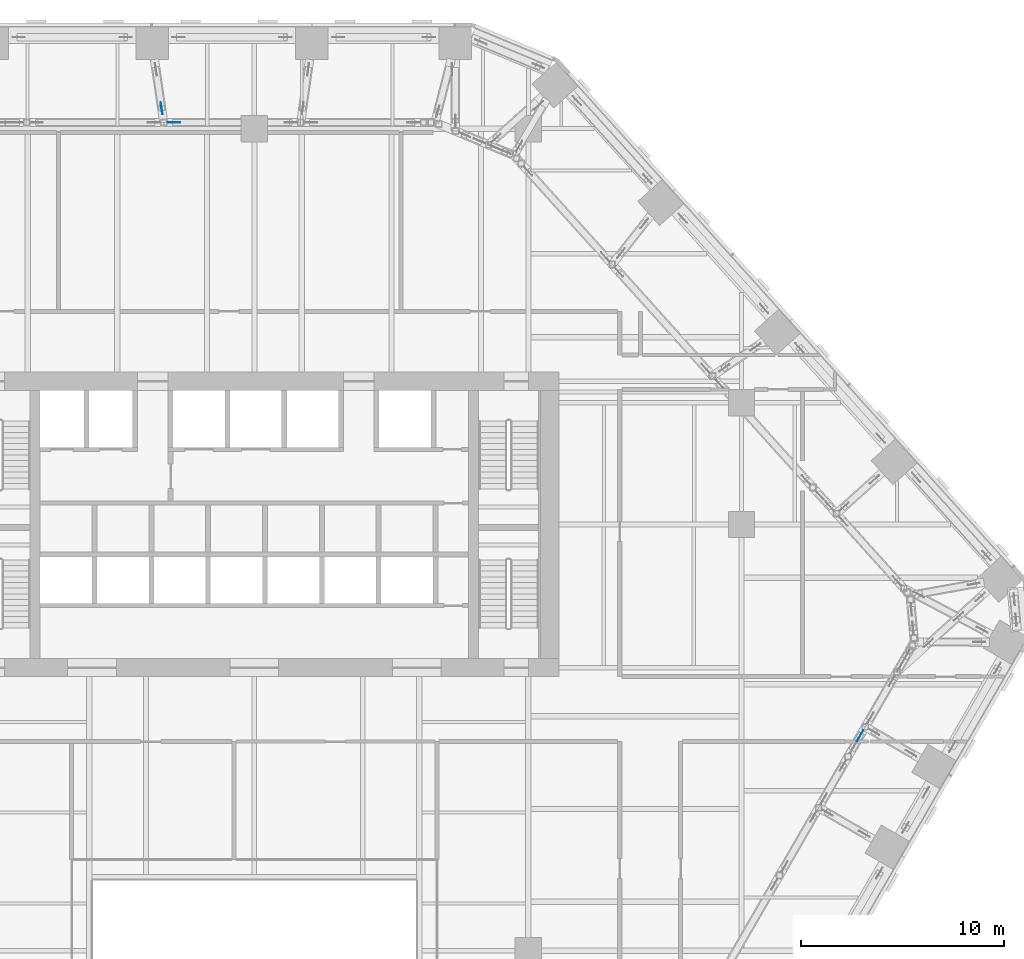
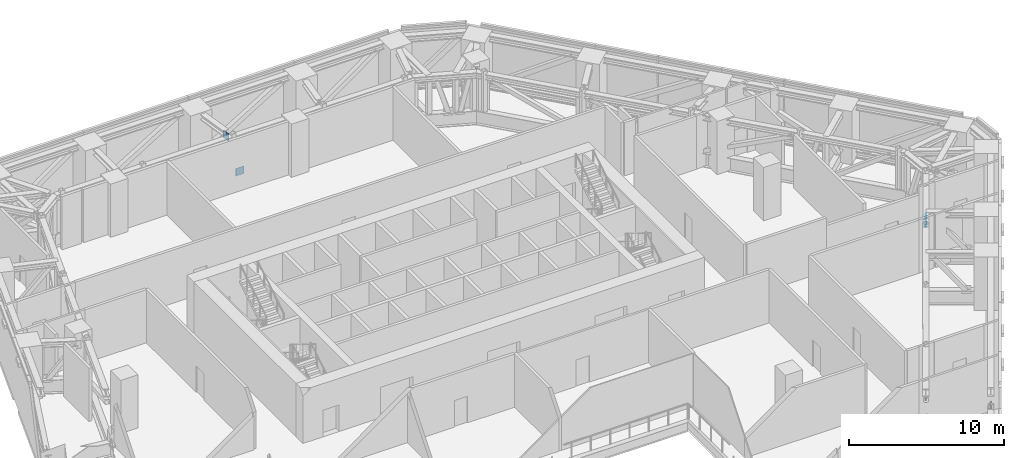
# One storey, part 31 of 36: 3 discrete accessories.
"""IFC4 building model written with IfcOpenShell, lengths in metres."""

from ifc_helpers import new_model, si_unit, direction, frame, origin, origin_2d, place, context, subcontext, project, spatial, rectangle, extrude, material, type_object, element, save


model = new_model("IFC4")

# Units and contexts
model_context = context("Model", 3, precision=1e-05, world=origin(), true_north=direction((0.0, 1.0)))
body_context = subcontext(model_context, "Body", "Model", "MODEL_VIEW")
ifc_project = project(units=[si_unit("LENGTHUNIT", "METRE"), si_unit("AREAUNIT", "SQUARE_METRE"), si_unit("VOLUMEUNIT", "CUBIC_METRE"), si_unit("PLANEANGLEUNIT", "RADIAN"), si_unit("MASSUNIT", "GRAM", prefix="KILO")], contexts=[model_context])

# Site, building, storey
site_placement = place(None, origin())
site = spatial("IfcSite", under=ifc_project, at=site_placement, CompositionType="ELEMENT")
building_placement = place(site_placement, origin())
building = spatial("IfcBuilding", under=site, at=building_placement, Name="Isthmus Gate Tower", CompositionType="ELEMENT")
storey_placement = place(building_placement, frame((0.0, 0.0, 117.14990234375)))
storey = spatial("IfcBuildingStorey", under=building, at=storey_placement, Name="L28", CompositionType="ELEMENT", Elevation=117.14990234375)

# Discrete accessories
ifc_material = material(Name="Structural steel ASTM A992 Gr 50", Category="steel")
discrete_accessory_type = type_object("IfcDiscreteAccessoryType", Name="GUSSET PLATE 600 X 20", PredefinedType="USERDEFINED", material=ifc_material)
for number, where, z_axis, x_axis, name in (
    (1, (-4.56494140625, 28.0, 3.374755859375), (0.0, 0.0, 1.0), (0.145979371577, -0.989287634146, 0.0), "GUSSET PLATE"),
    (2, (29.845703125, -2.90576171875, 3.374755859375), (0.0, 0.0, 1.0), (0.5, 0.866025403784, 0.0), "GUSSET PLATE"),
    (3, (-3.96142578125, 27.300048828125, 0.7890625), (0.0, 0.0, 1.0), (1.0, 0.0, 0.0), "GUSSET PLATE"),
):
    element("IfcDiscreteAccessory", number, at=place(storey_placement, frame(where, z_axis=z_axis, x_axis=x_axis)), inside=storey, type_object=discrete_accessory_type, Name=name, ObjectType="GUSSET PLATE", PredefinedType="USERDEFINED", context=body_context, shape_type="SweptSolid", body=[
        extrude(rectangle(XDim=0.60009765625, YDim=0.02001953125, at=origin_2d()), origin(), (0.0, 0.0, 1.0), 0.60009765625),
    ])

save(model, "model.ifc")
